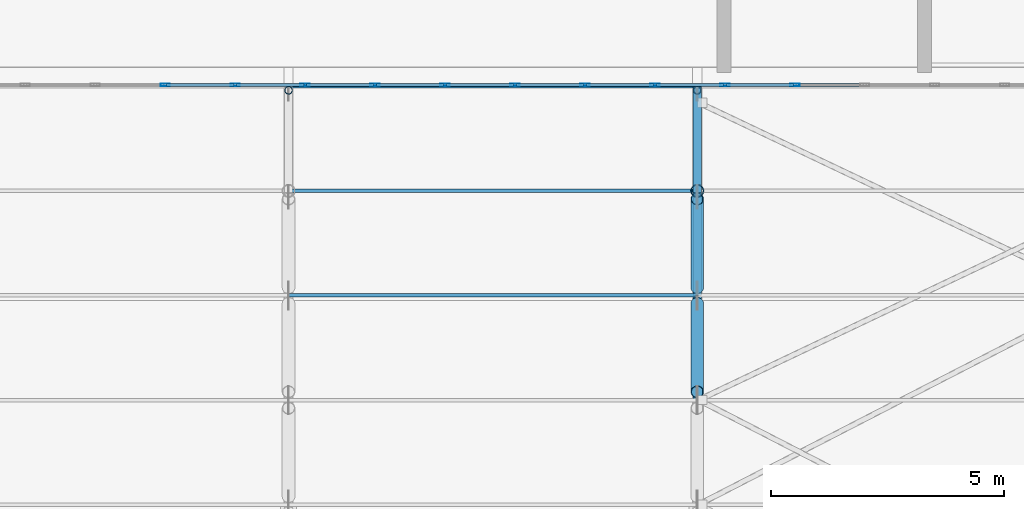
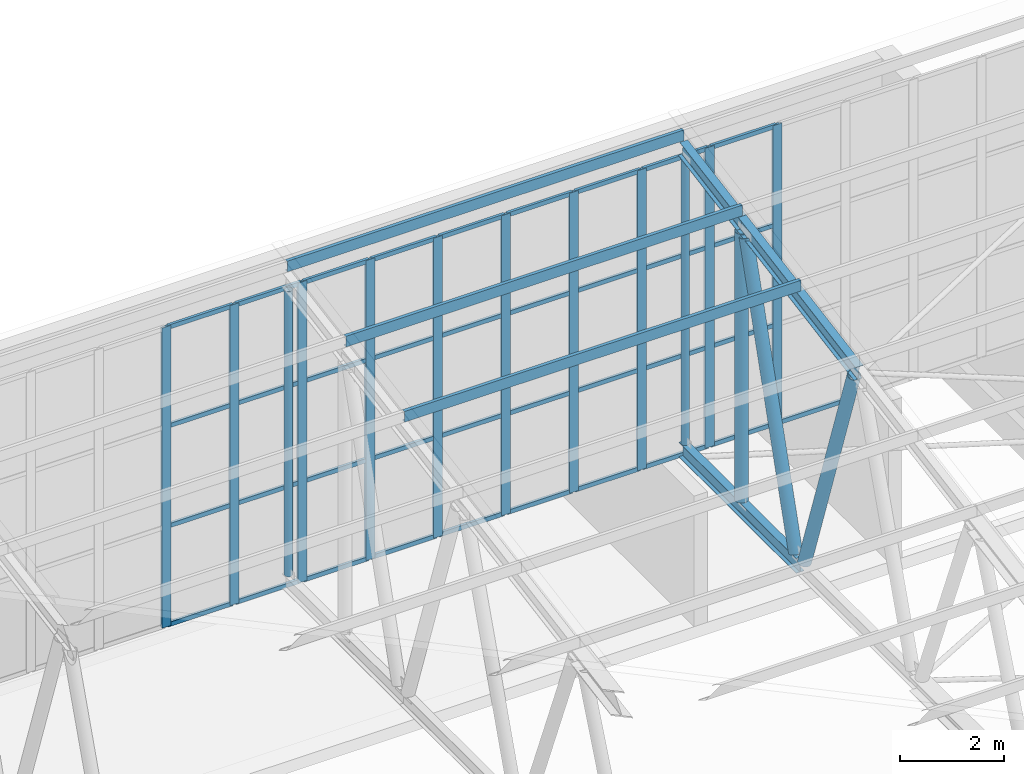
# One storey, part 65 of 185: 58 members, 1 element without a shape of its own.
"""IFC4 building model written with IfcOpenShell, lengths in metres."""

from ifc_helpers import new_model, si_unit, direction, frame, origin, origin_2d, place, context, subcontext, project, spatial, polyline, hollow_rectangle, hollow_circle, i_section, outline, extrude, material, layer, layer_set, material_profile, profile_set, type_object, element, aggregate, save


model = new_model("IFC4")

# Units and contexts
model_context = context("Model", 3, precision=1e-05, world=origin(), true_north=direction((0.0, 1.0)))
body_context = subcontext(model_context, "Body", "Model", "MODEL_VIEW")
ifc_project = project(units=[si_unit("LENGTHUNIT", "METRE"), si_unit("AREAUNIT", "SQUARE_METRE"), si_unit("VOLUMEUNIT", "CUBIC_METRE"), si_unit("PLANEANGLEUNIT", "RADIAN"), si_unit("MASSUNIT", "GRAM", prefix="KILO")], contexts=[model_context])

# Site, building, storey
site_placement = place(None, origin())
site = spatial("IfcSite", under=ifc_project, at=site_placement, CompositionType="ELEMENT")
building_placement = place(site_placement, origin())
building = spatial("IfcBuilding", under=site, at=building_placement, Name="Opaline Strait Convention Centre", CompositionType="ELEMENT")
storey_placement = place(building_placement, frame((0.0, 0.0, 6.0)))
storey = spatial("IfcBuildingStorey", under=building, at=storey_placement, Name="L01", CompositionType="ELEMENT", Elevation=6.0)

# Curtain wall, members
ifc_material_1 = material(Name="Aluminium 6063-T5", Category="aluminium")
ifc_layer = layer(ifc_material_1, 0.199951171875)
ifc_layer_set = layer_set([ifc_layer], Name="Aluminium 6063-T5")
curtain_wall_type = type_object("IfcCurtainWallType", Name="Unitised curtain wall 1640 module", PredefinedType="NOTDEFINED", material=ifc_layer_set)
curtain_wall_placement = place(storey_placement, origin())
curtain_wall = element("IfcCurtainWall", 1, at=curtain_wall_placement, inside=storey, type_object=curtain_wall_type, Name="Ballroom north clerestory curtain wall", PredefinedType="NOTDEFINED")
ifc_material_2 = material(Name="Aluminium alloy 6063", Category="aluminium")
ifc_material_profile_1 = material_profile(ifc_material_2, hollow_rectangle(XDim=0.06005859375, YDim=0.199951171875, WallThickness=0.00390625, at=origin_2d()), Name="MULLION 60x200x4")
ifc_profile_set_1 = profile_set([ifc_material_profile_1], Name="Aluminium alloy 6063")
member_type_1 = type_object("IfcMemberType", Name="Curtain wall mullion 60 x 200", PredefinedType="MULLION", material=ifc_profile_set_1)
member_1_placement = place(storey_placement, frame((330.010009765625, 62.929931640625, 4.324951171875), z_axis=(0.0, 0.0, 1.0), x_axis=(0.0, 1.0, 0.0)))
member_1 = element("IfcMember", 2, at=member_1_placement, type_object=member_type_1, Name="BG2 mullion 29", PredefinedType="MULLION", context=body_context, shape_type="SweptSolid", body=[
    extrude(hollow_rectangle(XDim=0.06005859375, YDim=0.199951171875, WallThickness=0.00390625, at=origin_2d()), origin(), (0.0, 0.0, 1.0), 7.01513671875),
])
member_2_placement = place(storey_placement, frame((331.511474609375, 62.929931640625, 4.324951171875), z_axis=(0.0, 0.0, 1.0), x_axis=(0.0, 1.0, 0.0)))
member_2 = element("IfcMember", 3, at=member_2_placement, type_object=member_type_1, Name="BG2 mullion 30", PredefinedType="MULLION", context=body_context, shape_type="SweptSolid", body=[
    extrude(hollow_rectangle(XDim=0.06005859375, YDim=0.199951171875, WallThickness=0.00390625, at=origin_2d()), origin(), (0.0, 0.0, 1.0), 7.01513671875),
])
member_3_placement = place(storey_placement, frame((333.012939453125, 62.929931640625, 4.324951171875), z_axis=(0.0, 0.0, 1.0), x_axis=(0.0, 1.0, 0.0)))
member_3 = element("IfcMember", 4, at=member_3_placement, type_object=member_type_1, Name="BG2 mullion 31", PredefinedType="MULLION", context=body_context, shape_type="SweptSolid", body=[
    extrude(hollow_rectangle(XDim=0.06005859375, YDim=0.199951171875, WallThickness=0.00390625, at=origin_2d()), origin(), (0.0, 0.0, 1.0), 7.01513671875),
])
member_4_placement = place(storey_placement, frame((334.514404296875, 62.929931640625, 4.324951171875), z_axis=(0.0, 0.0, 1.0), x_axis=(0.0, 1.0, 0.0)))
member_4 = element("IfcMember", 5, at=member_4_placement, type_object=member_type_1, Name="BG2 mullion 32", PredefinedType="MULLION", context=body_context, shape_type="SweptSolid", body=[
    extrude(hollow_rectangle(XDim=0.06005859375, YDim=0.199951171875, WallThickness=0.00390625, at=origin_2d()), origin(), (0.0, 0.0, 1.0), 7.01513671875),
])
member_5_placement = place(storey_placement, frame((336.015625, 62.929931640625, 4.324951171875), z_axis=(0.0, 0.0, 1.0), x_axis=(0.0, 1.0, 0.0)))
member_5 = element("IfcMember", 6, at=member_5_placement, type_object=member_type_1, Name="BG2 mullion 33", PredefinedType="MULLION", context=body_context, shape_type="SweptSolid", body=[
    extrude(hollow_rectangle(XDim=0.06005859375, YDim=0.199951171875, WallThickness=0.00390625, at=origin_2d()), origin(), (0.0, 0.0, 1.0), 7.01513671875),
])
member_6_placement = place(storey_placement, frame((337.51708984375, 62.929931640625, 4.324951171875), z_axis=(0.0, 0.0, 1.0), x_axis=(0.0, 1.0, 0.0)))
member_6 = element("IfcMember", 7, at=member_6_placement, type_object=member_type_1, Name="BG2 mullion 34", PredefinedType="MULLION", context=body_context, shape_type="SweptSolid", body=[
    extrude(hollow_rectangle(XDim=0.06005859375, YDim=0.199951171875, WallThickness=0.00390625, at=origin_2d()), origin(), (0.0, 0.0, 1.0), 7.01513671875),
])
member_7_placement = place(storey_placement, frame((339.0185546875, 62.929931640625, 4.324951171875), z_axis=(0.0, 0.0, 1.0), x_axis=(0.0, 1.0, 0.0)))
member_7 = element("IfcMember", 8, at=member_7_placement, type_object=member_type_1, Name="BG2 mullion 35", PredefinedType="MULLION", context=body_context, shape_type="SweptSolid", body=[
    extrude(hollow_rectangle(XDim=0.06005859375, YDim=0.199951171875, WallThickness=0.00390625, at=origin_2d()), origin(), (0.0, 0.0, 1.0), 7.01513671875),
])
member_8_placement = place(storey_placement, frame((340.52001953125, 62.929931640625, 4.324951171875), z_axis=(0.0, 0.0, 1.0), x_axis=(0.0, 1.0, 0.0)))
member_8 = element("IfcMember", 9, at=member_8_placement, type_object=member_type_1, Name="BG2 mullion 36", PredefinedType="MULLION", context=body_context, shape_type="SweptSolid", body=[
    extrude(hollow_rectangle(XDim=0.06005859375, YDim=0.199951171875, WallThickness=0.00390625, at=origin_2d()), origin(), (0.0, 0.0, 1.0), 7.01513671875),
])
member_9_placement = place(storey_placement, frame((342.021484375, 62.929931640625, 4.324951171875), z_axis=(0.0, 0.0, 1.0), x_axis=(0.0, 1.0, 0.0)))
member_9 = element("IfcMember", 10, at=member_9_placement, type_object=member_type_1, Name="BG2 mullion 37", PredefinedType="MULLION", context=body_context, shape_type="SweptSolid", body=[
    extrude(hollow_rectangle(XDim=0.06005859375, YDim=0.199951171875, WallThickness=0.00390625, at=origin_2d()), origin(), (0.0, 0.0, 1.0), 7.01513671875),
])
member_10_placement = place(storey_placement, frame((343.52294921875, 62.929931640625, 4.324951171875), z_axis=(0.0, 0.0, 1.0), x_axis=(0.0, 1.0, 0.0)))
member_10 = element("IfcMember", 11, at=member_10_placement, type_object=member_type_1, Name="BG2 mullion 38", PredefinedType="MULLION", context=body_context, shape_type="SweptSolid", body=[
    extrude(hollow_rectangle(XDim=0.06005859375, YDim=0.199951171875, WallThickness=0.00390625, at=origin_2d()), origin(), (0.0, 0.0, 1.0), 7.01513671875),
])
ifc_material_profile_2 = material_profile(ifc_material_2, hollow_rectangle(XDim=0.06005859375, YDim=0.10009765625, WallThickness=0.0029296875, at=origin_2d()), Name="TRANSOM 60x100x3")
ifc_profile_set_2 = profile_set([ifc_material_profile_2], Name="Aluminium alloy 6063")
member_type_2 = type_object("IfcMemberType", Name="Curtain wall transom 60 x 100", PredefinedType="USERDEFINED", material=ifc_profile_set_2)
member_11_placement = place(storey_placement, frame((330.0400390625, 62.929931640625, 4.35498046875), z_axis=(1.0, 0.0, 0.0), x_axis=(0.0, 1.0, 0.0)))
member_11 = element("IfcMember", 12, at=member_11_placement, type_object=member_type_2, Name="BG2 transom 29.1", ObjectType="TRANSOM", PredefinedType="USERDEFINED", context=body_context, shape_type="SweptSolid", body=[
    extrude(hollow_rectangle(XDim=0.06005859375, YDim=0.10009765625, WallThickness=0.0029296875, at=origin_2d()), origin(), (0.0, 0.0, 1.0), 1.44140625),
])
member_12_placement = place(storey_placement, frame((330.0400390625, 62.929931640625, 6.663330078125), z_axis=(1.0, 0.0, 0.0), x_axis=(0.0, 1.0, 0.0)))
member_12 = element("IfcMember", 13, at=member_12_placement, type_object=member_type_2, Name="BG2 transom 29.2", ObjectType="TRANSOM", PredefinedType="USERDEFINED", context=body_context, shape_type="SweptSolid", body=[
    extrude(hollow_rectangle(XDim=0.06005859375, YDim=0.10009765625, WallThickness=0.0029296875, at=origin_2d()), origin(), (0.0, 0.0, 1.0), 1.44140625),
])
member_13_placement = place(storey_placement, frame((330.0400390625, 62.929931640625, 9.001708984375), z_axis=(1.0, 0.0, 0.0), x_axis=(0.0, 1.0, 0.0)))
member_13 = element("IfcMember", 14, at=member_13_placement, type_object=member_type_2, Name="BG2 transom 29.3", ObjectType="TRANSOM", PredefinedType="USERDEFINED", context=body_context, shape_type="SweptSolid", body=[
    extrude(hollow_rectangle(XDim=0.06005859375, YDim=0.10009765625, WallThickness=0.0029296875, at=origin_2d()), origin(), (0.0, 0.0, 1.0), 1.44140625),
])
member_14_placement = place(storey_placement, frame((330.0400390625, 62.929931640625, 11.31005859375), z_axis=(1.0, 0.0, 0.0), x_axis=(0.0, 1.0, 0.0)))
member_14 = element("IfcMember", 15, at=member_14_placement, type_object=member_type_2, Name="BG2 transom 29.4", ObjectType="TRANSOM", PredefinedType="USERDEFINED", context=body_context, shape_type="SweptSolid", body=[
    extrude(hollow_rectangle(XDim=0.06005859375, YDim=0.10009765625, WallThickness=0.0029296875, at=origin_2d()), origin(), (0.0, 0.0, 1.0), 1.44140625),
])
member_15_placement = place(storey_placement, frame((331.54150390625, 62.929931640625, 4.35498046875), z_axis=(1.0, 0.0, 0.0), x_axis=(0.0, 1.0, 0.0)))
member_15 = element("IfcMember", 16, at=member_15_placement, type_object=member_type_2, Name="BG2 transom 30.1", ObjectType="TRANSOM", PredefinedType="USERDEFINED", context=body_context, shape_type="SweptSolid", body=[
    extrude(hollow_rectangle(XDim=0.06005859375, YDim=0.10009765625, WallThickness=0.0029296875, at=origin_2d()), origin(), (0.0, 0.0, 1.0), 1.44140625),
])
member_16_placement = place(storey_placement, frame((331.54150390625, 62.929931640625, 6.663330078125), z_axis=(1.0, 0.0, 0.0), x_axis=(0.0, 1.0, 0.0)))
member_16 = element("IfcMember", 17, at=member_16_placement, type_object=member_type_2, Name="BG2 transom 30.2", ObjectType="TRANSOM", PredefinedType="USERDEFINED", context=body_context, shape_type="SweptSolid", body=[
    extrude(hollow_rectangle(XDim=0.06005859375, YDim=0.10009765625, WallThickness=0.0029296875, at=origin_2d()), origin(), (0.0, 0.0, 1.0), 1.44140625),
])
member_17_placement = place(storey_placement, frame((331.54150390625, 62.929931640625, 9.001708984375), z_axis=(1.0, 0.0, 0.0), x_axis=(0.0, 1.0, 0.0)))
member_17 = element("IfcMember", 18, at=member_17_placement, type_object=member_type_2, Name="BG2 transom 30.3", ObjectType="TRANSOM", PredefinedType="USERDEFINED", context=body_context, shape_type="SweptSolid", body=[
    extrude(hollow_rectangle(XDim=0.06005859375, YDim=0.10009765625, WallThickness=0.0029296875, at=origin_2d()), origin(), (0.0, 0.0, 1.0), 1.44140625),
])
member_18_placement = place(storey_placement, frame((331.54150390625, 62.929931640625, 11.31005859375), z_axis=(1.0, 0.0, 0.0), x_axis=(0.0, 1.0, 0.0)))
member_18 = element("IfcMember", 19, at=member_18_placement, type_object=member_type_2, Name="BG2 transom 30.4", ObjectType="TRANSOM", PredefinedType="USERDEFINED", context=body_context, shape_type="SweptSolid", body=[
    extrude(hollow_rectangle(XDim=0.06005859375, YDim=0.10009765625, WallThickness=0.0029296875, at=origin_2d()), origin(), (0.0, 0.0, 1.0), 1.44140625),
])
member_19_placement = place(storey_placement, frame((333.04296875, 62.929931640625, 4.35498046875), z_axis=(1.0, 0.0, 0.0), x_axis=(0.0, 1.0, 0.0)))
member_19 = element("IfcMember", 20, at=member_19_placement, type_object=member_type_2, Name="BG2 transom 31.1", ObjectType="TRANSOM", PredefinedType="USERDEFINED", context=body_context, shape_type="SweptSolid", body=[
    extrude(hollow_rectangle(XDim=0.06005859375, YDim=0.10009765625, WallThickness=0.0029296875, at=origin_2d()), origin(), (0.0, 0.0, 1.0), 1.44140625),
])
member_20_placement = place(storey_placement, frame((333.04296875, 62.929931640625, 6.663330078125), z_axis=(1.0, 0.0, 0.0), x_axis=(0.0, 1.0, 0.0)))
member_20 = element("IfcMember", 21, at=member_20_placement, type_object=member_type_2, Name="BG2 transom 31.2", ObjectType="TRANSOM", PredefinedType="USERDEFINED", context=body_context, shape_type="SweptSolid", body=[
    extrude(hollow_rectangle(XDim=0.06005859375, YDim=0.10009765625, WallThickness=0.0029296875, at=origin_2d()), origin(), (0.0, 0.0, 1.0), 1.44140625),
])
member_21_placement = place(storey_placement, frame((333.04296875, 62.929931640625, 9.001708984375), z_axis=(1.0, 0.0, 0.0), x_axis=(0.0, 1.0, 0.0)))
member_21 = element("IfcMember", 22, at=member_21_placement, type_object=member_type_2, Name="BG2 transom 31.3", ObjectType="TRANSOM", PredefinedType="USERDEFINED", context=body_context, shape_type="SweptSolid", body=[
    extrude(hollow_rectangle(XDim=0.06005859375, YDim=0.10009765625, WallThickness=0.0029296875, at=origin_2d()), origin(), (0.0, 0.0, 1.0), 1.44140625),
])
member_22_placement = place(storey_placement, frame((333.04296875, 62.929931640625, 11.31005859375), z_axis=(1.0, 0.0, 0.0), x_axis=(0.0, 1.0, 0.0)))
member_22 = element("IfcMember", 23, at=member_22_placement, type_object=member_type_2, Name="BG2 transom 31.4", ObjectType="TRANSOM", PredefinedType="USERDEFINED", context=body_context, shape_type="SweptSolid", body=[
    extrude(hollow_rectangle(XDim=0.06005859375, YDim=0.10009765625, WallThickness=0.0029296875, at=origin_2d()), origin(), (0.0, 0.0, 1.0), 1.44140625),
])
member_23_placement = place(storey_placement, frame((334.544189453125, 62.929931640625, 4.35498046875), z_axis=(1.0, 0.0, 0.0), x_axis=(0.0, 1.0, 0.0)))
member_23 = element("IfcMember", 24, at=member_23_placement, type_object=member_type_2, Name="BG2 transom 32.1", ObjectType="TRANSOM", PredefinedType="USERDEFINED", context=body_context, shape_type="SweptSolid", body=[
    extrude(hollow_rectangle(XDim=0.06005859375, YDim=0.10009765625, WallThickness=0.0029296875, at=origin_2d()), origin(), (0.0, 0.0, 1.0), 1.441650390625),
])
member_24_placement = place(storey_placement, frame((334.544189453125, 62.929931640625, 6.663330078125), z_axis=(1.0, 0.0, 0.0), x_axis=(0.0, 1.0, 0.0)))
member_24 = element("IfcMember", 25, at=member_24_placement, type_object=member_type_2, Name="BG2 transom 32.2", ObjectType="TRANSOM", PredefinedType="USERDEFINED", context=body_context, shape_type="SweptSolid", body=[
    extrude(hollow_rectangle(XDim=0.06005859375, YDim=0.10009765625, WallThickness=0.0029296875, at=origin_2d()), origin(), (0.0, 0.0, 1.0), 1.441650390625),
])
member_25_placement = place(storey_placement, frame((334.544189453125, 62.929931640625, 9.001708984375), z_axis=(1.0, 0.0, 0.0), x_axis=(0.0, 1.0, 0.0)))
member_25 = element("IfcMember", 26, at=member_25_placement, type_object=member_type_2, Name="BG2 transom 32.3", ObjectType="TRANSOM", PredefinedType="USERDEFINED", context=body_context, shape_type="SweptSolid", body=[
    extrude(hollow_rectangle(XDim=0.06005859375, YDim=0.10009765625, WallThickness=0.0029296875, at=origin_2d()), origin(), (0.0, 0.0, 1.0), 1.441650390625),
])
member_26_placement = place(storey_placement, frame((334.544189453125, 62.929931640625, 11.31005859375), z_axis=(1.0, 0.0, 0.0), x_axis=(0.0, 1.0, 0.0)))
member_26 = element("IfcMember", 27, at=member_26_placement, type_object=member_type_2, Name="BG2 transom 32.4", ObjectType="TRANSOM", PredefinedType="USERDEFINED", context=body_context, shape_type="SweptSolid", body=[
    extrude(hollow_rectangle(XDim=0.06005859375, YDim=0.10009765625, WallThickness=0.0029296875, at=origin_2d()), origin(), (0.0, 0.0, 1.0), 1.441650390625),
])
member_27_placement = place(storey_placement, frame((336.045654296875, 62.929931640625, 4.35498046875), z_axis=(1.0, 0.0, 0.0), x_axis=(0.0, 1.0, 0.0)))
member_27 = element("IfcMember", 28, at=member_27_placement, type_object=member_type_2, Name="BG2 transom 33.1", ObjectType="TRANSOM", PredefinedType="USERDEFINED", context=body_context, shape_type="SweptSolid", body=[
    extrude(hollow_rectangle(XDim=0.06005859375, YDim=0.10009765625, WallThickness=0.0029296875, at=origin_2d()), origin(), (0.0, 0.0, 1.0), 1.44140625),
])
member_28_placement = place(storey_placement, frame((336.045654296875, 62.929931640625, 6.663330078125), z_axis=(1.0, 0.0, 0.0), x_axis=(0.0, 1.0, 0.0)))
member_28 = element("IfcMember", 29, at=member_28_placement, type_object=member_type_2, Name="BG2 transom 33.2", ObjectType="TRANSOM", PredefinedType="USERDEFINED", context=body_context, shape_type="SweptSolid", body=[
    extrude(hollow_rectangle(XDim=0.06005859375, YDim=0.10009765625, WallThickness=0.0029296875, at=origin_2d()), origin(), (0.0, 0.0, 1.0), 1.44140625),
])
member_29_placement = place(storey_placement, frame((336.045654296875, 62.929931640625, 9.001708984375), z_axis=(1.0, 0.0, 0.0), x_axis=(0.0, 1.0, 0.0)))
member_29 = element("IfcMember", 30, at=member_29_placement, type_object=member_type_2, Name="BG2 transom 33.3", ObjectType="TRANSOM", PredefinedType="USERDEFINED", context=body_context, shape_type="SweptSolid", body=[
    extrude(hollow_rectangle(XDim=0.06005859375, YDim=0.10009765625, WallThickness=0.0029296875, at=origin_2d()), origin(), (0.0, 0.0, 1.0), 1.44140625),
])
member_30_placement = place(storey_placement, frame((336.045654296875, 62.929931640625, 11.31005859375), z_axis=(1.0, 0.0, 0.0), x_axis=(0.0, 1.0, 0.0)))
member_30 = element("IfcMember", 31, at=member_30_placement, type_object=member_type_2, Name="BG2 transom 33.4", ObjectType="TRANSOM", PredefinedType="USERDEFINED", context=body_context, shape_type="SweptSolid", body=[
    extrude(hollow_rectangle(XDim=0.06005859375, YDim=0.10009765625, WallThickness=0.0029296875, at=origin_2d()), origin(), (0.0, 0.0, 1.0), 1.44140625),
])
member_31_placement = place(storey_placement, frame((337.547119140625, 62.929931640625, 4.35498046875), z_axis=(1.0, 0.0, 0.0), x_axis=(0.0, 1.0, 0.0)))
member_31 = element("IfcMember", 32, at=member_31_placement, type_object=member_type_2, Name="BG2 transom 34.1", ObjectType="TRANSOM", PredefinedType="USERDEFINED", context=body_context, shape_type="SweptSolid", body=[
    extrude(hollow_rectangle(XDim=0.06005859375, YDim=0.10009765625, WallThickness=0.0029296875, at=origin_2d()), origin(), (0.0, 0.0, 1.0), 1.44140625),
])
member_32_placement = place(storey_placement, frame((337.547119140625, 62.929931640625, 6.663330078125), z_axis=(1.0, 0.0, 0.0), x_axis=(0.0, 1.0, 0.0)))
member_32 = element("IfcMember", 33, at=member_32_placement, type_object=member_type_2, Name="BG2 transom 34.2", ObjectType="TRANSOM", PredefinedType="USERDEFINED", context=body_context, shape_type="SweptSolid", body=[
    extrude(hollow_rectangle(XDim=0.06005859375, YDim=0.10009765625, WallThickness=0.0029296875, at=origin_2d()), origin(), (0.0, 0.0, 1.0), 1.44140625),
])
member_33_placement = place(storey_placement, frame((337.547119140625, 62.929931640625, 9.001708984375), z_axis=(1.0, 0.0, 0.0), x_axis=(0.0, 1.0, 0.0)))
member_33 = element("IfcMember", 34, at=member_33_placement, type_object=member_type_2, Name="BG2 transom 34.3", ObjectType="TRANSOM", PredefinedType="USERDEFINED", context=body_context, shape_type="SweptSolid", body=[
    extrude(hollow_rectangle(XDim=0.06005859375, YDim=0.10009765625, WallThickness=0.0029296875, at=origin_2d()), origin(), (0.0, 0.0, 1.0), 1.44140625),
])
member_34_placement = place(storey_placement, frame((337.547119140625, 62.929931640625, 11.31005859375), z_axis=(1.0, 0.0, 0.0), x_axis=(0.0, 1.0, 0.0)))
member_34 = element("IfcMember", 35, at=member_34_placement, type_object=member_type_2, Name="BG2 transom 34.4", ObjectType="TRANSOM", PredefinedType="USERDEFINED", context=body_context, shape_type="SweptSolid", body=[
    extrude(hollow_rectangle(XDim=0.06005859375, YDim=0.10009765625, WallThickness=0.0029296875, at=origin_2d()), origin(), (0.0, 0.0, 1.0), 1.44140625),
])
member_35_placement = place(storey_placement, frame((339.048583984375, 62.929931640625, 4.35498046875), z_axis=(1.0, 0.0, 0.0), x_axis=(0.0, 1.0, 0.0)))
member_35 = element("IfcMember", 36, at=member_35_placement, type_object=member_type_2, Name="BG2 transom 35.1", ObjectType="TRANSOM", PredefinedType="USERDEFINED", context=body_context, shape_type="SweptSolid", body=[
    extrude(hollow_rectangle(XDim=0.06005859375, YDim=0.10009765625, WallThickness=0.0029296875, at=origin_2d()), origin(), (0.0, 0.0, 1.0), 1.44140625),
])
member_36_placement = place(storey_placement, frame((339.048583984375, 62.929931640625, 6.663330078125), z_axis=(1.0, 0.0, 0.0), x_axis=(0.0, 1.0, 0.0)))
member_36 = element("IfcMember", 37, at=member_36_placement, type_object=member_type_2, Name="BG2 transom 35.2", ObjectType="TRANSOM", PredefinedType="USERDEFINED", context=body_context, shape_type="SweptSolid", body=[
    extrude(hollow_rectangle(XDim=0.06005859375, YDim=0.10009765625, WallThickness=0.0029296875, at=origin_2d()), origin(), (0.0, 0.0, 1.0), 1.44140625),
])
member_37_placement = place(storey_placement, frame((339.048583984375, 62.929931640625, 9.001708984375), z_axis=(1.0, 0.0, 0.0), x_axis=(0.0, 1.0, 0.0)))
member_37 = element("IfcMember", 38, at=member_37_placement, type_object=member_type_2, Name="BG2 transom 35.3", ObjectType="TRANSOM", PredefinedType="USERDEFINED", context=body_context, shape_type="SweptSolid", body=[
    extrude(hollow_rectangle(XDim=0.06005859375, YDim=0.10009765625, WallThickness=0.0029296875, at=origin_2d()), origin(), (0.0, 0.0, 1.0), 1.44140625),
])
member_38_placement = place(storey_placement, frame((339.048583984375, 62.929931640625, 11.31005859375), z_axis=(1.0, 0.0, 0.0), x_axis=(0.0, 1.0, 0.0)))
member_38 = element("IfcMember", 39, at=member_38_placement, type_object=member_type_2, Name="BG2 transom 35.4", ObjectType="TRANSOM", PredefinedType="USERDEFINED", context=body_context, shape_type="SweptSolid", body=[
    extrude(hollow_rectangle(XDim=0.06005859375, YDim=0.10009765625, WallThickness=0.0029296875, at=origin_2d()), origin(), (0.0, 0.0, 1.0), 1.44140625),
])
member_39_placement = place(storey_placement, frame((340.550048828125, 62.929931640625, 4.35498046875), z_axis=(1.0, 0.0, 0.0), x_axis=(0.0, 1.0, 0.0)))
member_39 = element("IfcMember", 40, at=member_39_placement, type_object=member_type_2, Name="BG2 transom 36.1", ObjectType="TRANSOM", PredefinedType="USERDEFINED", context=body_context, shape_type="SweptSolid", body=[
    extrude(hollow_rectangle(XDim=0.06005859375, YDim=0.10009765625, WallThickness=0.0029296875, at=origin_2d()), origin(), (0.0, 0.0, 1.0), 1.44140625),
])
member_40_placement = place(storey_placement, frame((340.550048828125, 62.929931640625, 6.663330078125), z_axis=(1.0, 0.0, 0.0), x_axis=(0.0, 1.0, 0.0)))
member_40 = element("IfcMember", 41, at=member_40_placement, type_object=member_type_2, Name="BG2 transom 36.2", ObjectType="TRANSOM", PredefinedType="USERDEFINED", context=body_context, shape_type="SweptSolid", body=[
    extrude(hollow_rectangle(XDim=0.06005859375, YDim=0.10009765625, WallThickness=0.0029296875, at=origin_2d()), origin(), (0.0, 0.0, 1.0), 1.44140625),
])
member_41_placement = place(storey_placement, frame((340.550048828125, 62.929931640625, 9.001708984375), z_axis=(1.0, 0.0, 0.0), x_axis=(0.0, 1.0, 0.0)))
member_41 = element("IfcMember", 42, at=member_41_placement, type_object=member_type_2, Name="BG2 transom 36.3", ObjectType="TRANSOM", PredefinedType="USERDEFINED", context=body_context, shape_type="SweptSolid", body=[
    extrude(hollow_rectangle(XDim=0.06005859375, YDim=0.10009765625, WallThickness=0.0029296875, at=origin_2d()), origin(), (0.0, 0.0, 1.0), 1.44140625),
])
member_42_placement = place(storey_placement, frame((340.550048828125, 62.929931640625, 11.31005859375), z_axis=(1.0, 0.0, 0.0), x_axis=(0.0, 1.0, 0.0)))
member_42 = element("IfcMember", 43, at=member_42_placement, type_object=member_type_2, Name="BG2 transom 36.4", ObjectType="TRANSOM", PredefinedType="USERDEFINED", context=body_context, shape_type="SweptSolid", body=[
    extrude(hollow_rectangle(XDim=0.06005859375, YDim=0.10009765625, WallThickness=0.0029296875, at=origin_2d()), origin(), (0.0, 0.0, 1.0), 1.44140625),
])
member_43_placement = place(storey_placement, frame((342.051513671875, 62.929931640625, 4.35498046875), z_axis=(1.0, 0.0, 0.0), x_axis=(0.0, 1.0, 0.0)))
member_43 = element("IfcMember", 44, at=member_43_placement, type_object=member_type_2, Name="BG2 transom 37.1", ObjectType="TRANSOM", PredefinedType="USERDEFINED", context=body_context, shape_type="SweptSolid", body=[
    extrude(hollow_rectangle(XDim=0.06005859375, YDim=0.10009765625, WallThickness=0.0029296875, at=origin_2d()), origin(), (0.0, 0.0, 1.0), 1.44140625),
])
member_44_placement = place(storey_placement, frame((342.051513671875, 62.929931640625, 6.663330078125), z_axis=(1.0, 0.0, 0.0), x_axis=(0.0, 1.0, 0.0)))
member_44 = element("IfcMember", 45, at=member_44_placement, type_object=member_type_2, Name="BG2 transom 37.2", ObjectType="TRANSOM", PredefinedType="USERDEFINED", context=body_context, shape_type="SweptSolid", body=[
    extrude(hollow_rectangle(XDim=0.06005859375, YDim=0.10009765625, WallThickness=0.0029296875, at=origin_2d()), origin(), (0.0, 0.0, 1.0), 1.44140625),
])
member_45_placement = place(storey_placement, frame((342.051513671875, 62.929931640625, 9.001708984375), z_axis=(1.0, 0.0, 0.0), x_axis=(0.0, 1.0, 0.0)))
member_45 = element("IfcMember", 46, at=member_45_placement, type_object=member_type_2, Name="BG2 transom 37.3", ObjectType="TRANSOM", PredefinedType="USERDEFINED", context=body_context, shape_type="SweptSolid", body=[
    extrude(hollow_rectangle(XDim=0.06005859375, YDim=0.10009765625, WallThickness=0.0029296875, at=origin_2d()), origin(), (0.0, 0.0, 1.0), 1.44140625),
])
member_46_placement = place(storey_placement, frame((342.051513671875, 62.929931640625, 11.31005859375), z_axis=(1.0, 0.0, 0.0), x_axis=(0.0, 1.0, 0.0)))
member_46 = element("IfcMember", 47, at=member_46_placement, type_object=member_type_2, Name="BG2 transom 37.4", ObjectType="TRANSOM", PredefinedType="USERDEFINED", context=body_context, shape_type="SweptSolid", body=[
    extrude(hollow_rectangle(XDim=0.06005859375, YDim=0.10009765625, WallThickness=0.0029296875, at=origin_2d()), origin(), (0.0, 0.0, 1.0), 1.44140625),
])
member_47_placement = place(storey_placement, frame((343.552978515625, 62.929931640625, 4.35498046875), z_axis=(1.0, 0.0, 0.0), x_axis=(0.0, 1.0, 0.0)))
member_47 = element("IfcMember", 48, at=member_47_placement, type_object=member_type_2, Name="BG2 transom 38.1", ObjectType="TRANSOM", PredefinedType="USERDEFINED", context=body_context, shape_type="SweptSolid", body=[
    extrude(hollow_rectangle(XDim=0.06005859375, YDim=0.10009765625, WallThickness=0.0029296875, at=origin_2d()), origin(), (0.0, 0.0, 1.0), 1.44140625),
])
aggregate(curtain_wall, [member_1, member_2, member_3, member_4, member_5, member_6, member_7, member_8, member_9, member_10, member_11, member_12, member_13, member_14, member_15, member_16, member_17, member_18, member_19, member_20, member_21, member_22, member_23, member_24, member_25, member_26, member_27, member_28, member_29, member_30, member_31, member_32, member_33, member_34, member_35, member_36, member_37, member_38, member_39, member_40, member_41, member_42, member_43, member_44, member_45, member_46, member_47])

# Members
ifc_material_3 = material(Name="Steel Q355B", Category="steel")
ifc_material_profile_3 = material_profile(ifc_material_3, outline(polyline([(-0.03759765625, -0.125), (0.03759765625, -0.125), (0.03759765625, -0.10498046875), (0.034423828125, -0.10498046875), (0.034423828125, -0.1220703125), (-0.034423828125, -0.1220703125), (-0.034423828125, 0.1220703125), (0.034423828125, 0.1220703125), (0.034423828125, 0.10498046875), (0.03759765625, 0.10498046875), (0.03759765625, 0.125), (-0.03759765625, 0.125), (-0.03759765625, -0.125)])), Name="C 250x75x20x3")
ifc_profile_set_3 = profile_set([ifc_material_profile_3], Name="Steel Q355B")
member_type_3 = type_object("IfcMemberType", Name="Roof purlin C 250x75x20x3", PredefinedType="RAFTER", material=ifc_profile_set_3)
for number, where, z_axis, x_axis, name in (
    (49, (332.656982421875, 58.41259765625, 11.049560546875), (1.0, 0.0, 0.0), (0.0, 1.0, 0.0), "BU1 purlin line 16 bay 7"),
    (50, (332.656982421875, 60.65625, 11.445068359375), (1.0, 0.0, 0.0), (0.0, 1.0, 0.0), "BU1 purlin line 17 bay 7"),
    (51, (332.656982421875, 62.89990234375, 11.8408203125), (1.0, 0.0, 0.0), (0.0, 1.0, 0.0), "BU1 purlin line 18 bay 7"),
):
    element("IfcMember", number, at=place(storey_placement, frame(where, z_axis=z_axis, x_axis=x_axis)), inside=storey, type_object=member_type_3, Name=name, PredefinedType="RAFTER", context=body_context, shape_type="SweptSolid", body=[
        extrude(outline(polyline([(-0.03759765625, -0.125), (0.03759765625, -0.125), (0.03759765625, -0.10498046875), (0.034423828125, -0.10498046875), (0.034423828125, -0.1220703125), (-0.034423828125, -0.1220703125), (-0.034423828125, 0.1220703125), (0.034423828125, 0.1220703125), (0.034423828125, 0.10498046875), (0.03759765625, 0.10498046875), (0.03759765625, 0.125), (-0.03759765625, 0.125), (-0.03759765625, -0.125)])), origin(), (0.0, 0.0, 1.0), 8.771728515625),
    ])
ifc_material_profile_4 = material_profile(ifc_material_3, i_section(OverallWidth=0.175048828125, OverallDepth=0.35009765625, WebThickness=0.007080078125, FlangeThickness=0.010986328125, FilletRadius=0.012939453125, at=origin_2d()), Name="HN 350x175x7x11")
ifc_profile_set_4 = profile_set([ifc_material_profile_4], Name="Steel Q355B")
member_type_4 = type_object("IfcMemberType", Name="Truss bottom chord HN 350x175x7x11", PredefinedType="CHORD", material=ifc_profile_set_4)
member_48_placement = place(storey_placement, frame((341.4287109375, 58.41259765625, 4.5), z_axis=(0.0, 1.0, 0.0), x_axis=(-1.0, 0.0, 0.0)))
element("IfcMember", 52, at=member_48_placement, inside=storey, type_object=member_type_4, Name="BT2 bottom chord line 7 panel 8", PredefinedType="CHORD", context=body_context, shape_type="SweptSolid", body=[
    extrude(i_section(OverallWidth=0.175048828125, OverallDepth=0.35009765625, WebThickness=0.007080078125, FlangeThickness=0.010986328125, FilletRadius=0.012939453125, at=origin_2d()), origin(), (0.0, 0.0, 1.0), 4.4873046875),
])
ifc_material_profile_5 = material_profile(ifc_material_3, hollow_circle(Radius=0.083984375, WallThickness=0.008056640625, at=origin_2d()), Name="CHS 168x8")
ifc_profile_set_5 = profile_set([ifc_material_profile_5], Name="Steel Q355B")
member_type_5 = type_object("IfcMemberType", Name="Truss end post CHS 168x8", PredefinedType="STRUT", material=ifc_profile_set_5)
for number, where, z_axis, x_axis, name in (
    (53, (332.656982421875, 62.81591796875, 4.675048828125), (0.0, 0.0, 1.0), (1.0, 0.0, 0.0), "BW5 end post line 6"),
    (54, (341.4287109375, 62.81591796875, 4.675048828125), (0.0, 0.0, 1.0), (1.0, 0.0, 0.0), "BW5 end post line 7"),
):
    element("IfcMember", number, at=place(storey_placement, frame(where, z_axis=z_axis, x_axis=x_axis)), inside=storey, type_object=member_type_5, Name=name, PredefinedType="STRUT", context=body_context, shape_type="SweptSolid", body=[
        extrude(hollow_circle(Radius=0.083984375, WallThickness=0.008056640625, at=origin_2d()), origin(), (0.0, 0.0, 1.0), 6.66259765625),
    ])
ifc_material_profile_6 = material_profile(ifc_material_3, i_section(OverallWidth=0.175048828125, OverallDepth=0.35009765625, WebThickness=0.007080078125, FlangeThickness=0.010986328125, FilletRadius=0.012939453125, at=origin_2d()), Name="HN 350x175x7x11")
ifc_profile_set_6 = profile_set([ifc_material_profile_6], Name="Steel Q355B")
member_type_6 = type_object("IfcMemberType", Name="Truss top chord HN 350x175x7x11", PredefinedType="CHORD", material=ifc_profile_set_6)
member_49_placement = place(storey_placement, frame((341.4287109375, 56.168701171875, 10.34326171875), z_axis=(0.0, 0.984808359847, 0.173644736101), x_axis=(-1.0, 0.0, 0.0)))
element("IfcMember", 55, at=member_49_placement, inside=storey, type_object=member_type_6, Name="BT1 top chord line 7 panel 9", PredefinedType="CHORD", context=body_context, shape_type="SweptSolid", body=[
    extrude(i_section(OverallWidth=0.175048828125, OverallDepth=0.35009765625, WebThickness=0.007080078125, FlangeThickness=0.010986328125, FilletRadius=0.012939453125, at=origin_2d()), origin(), (0.0, 0.0, 1.0), 4.556884765625),
])
member_50_placement = place(storey_placement, frame((341.4287109375, 60.65625, 11.134521484375), z_axis=(0.0, 0.984815906009, 0.173601933377), x_axis=(-1.0, 0.0, 0.0)))
element("IfcMember", 56, at=member_50_placement, inside=storey, type_object=member_type_6, Name="BT1 top chord line 7 panel 10", PredefinedType="CHORD", context=body_context, shape_type="SweptSolid", body=[
    extrude(i_section(OverallWidth=0.175048828125, OverallDepth=0.35009765625, WebThickness=0.007080078125, FlangeThickness=0.010986328125, FilletRadius=0.012939453125, at=origin_2d()), origin(), (0.0, 0.0, 1.0), 2.2783203125),
])
ifc_material_profile_7 = material_profile(ifc_material_3, hollow_circle(Radius=0.136474609375, WallThickness=0.011962890625, at=origin_2d()), Name="CHS 273x12")
ifc_profile_set_7 = profile_set([ifc_material_profile_7], Name="Steel Q355B")
member_type_7 = type_object("IfcMemberType", Name="Truss web CHS 273x12", PredefinedType="BRACE", material=ifc_profile_set_7)
member_51_placement = place(storey_placement, frame((341.4287109375, 58.23828125, 4.678955078125), z_axis=(0.0, -0.325083279509, 0.945685392392), x_axis=(1.0, 0.0, 0.0)))
element("IfcMember", 57, at=member_51_placement, inside=storey, type_object=member_type_7, Name="BW4 web line 7 member 14", PredefinedType="BRACE", context=body_context, shape_type="SweptSolid", body=[
    extrude(hollow_circle(Radius=0.136474609375, WallThickness=0.011962890625, at=origin_2d()), origin(), (0.0, 0.0, 1.0), 5.830078125),
])
member_52_placement = place(storey_placement, frame((341.4287109375, 58.585205078125, 4.678955078125), z_axis=(0.0, 0.290918943534, 0.956747703574), x_axis=(-1.0, 0.0, 0.0)))
element("IfcMember", 58, at=member_52_placement, inside=storey, type_object=member_type_7, Name="BW4 web line 7 member 15", PredefinedType="BRACE", context=body_context, shape_type="SweptSolid", body=[
    extrude(hollow_circle(Radius=0.136474609375, WallThickness=0.011962890625, at=origin_2d()), origin(), (0.0, 0.0, 1.0), 6.525634765625),
])
member_53_placement = place(storey_placement, frame((341.4287109375, 60.65625, 4.675048828125), z_axis=(0.0, 0.0, 1.0), x_axis=(1.0, 0.0, 0.0)))
element("IfcMember", 59, at=member_53_placement, inside=storey, type_object=member_type_7, Name="BW4 frame post line 7", PredefinedType="BRACE", context=body_context, shape_type="SweptSolid", body=[
    extrude(hollow_circle(Radius=0.136474609375, WallThickness=0.011962890625, at=origin_2d()), origin(), (0.0, 0.0, 1.0), 6.28173828125),
])

save(model, "model.ifc")
